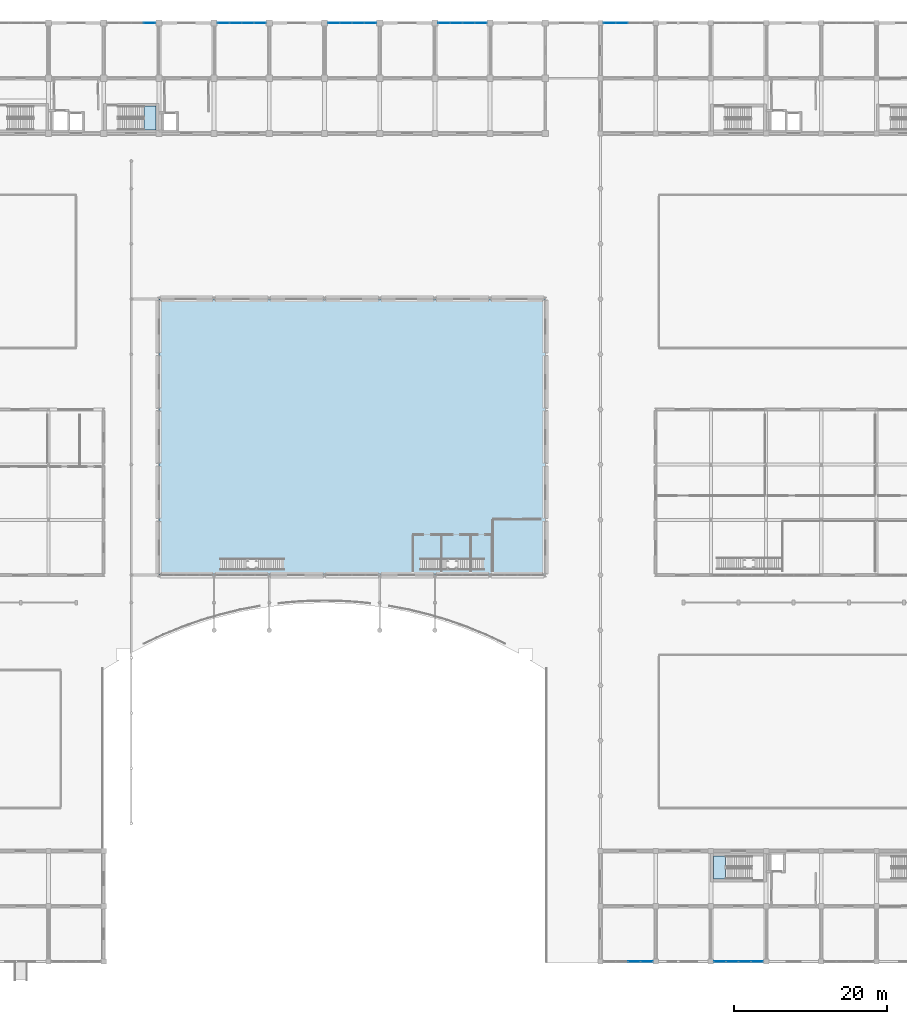
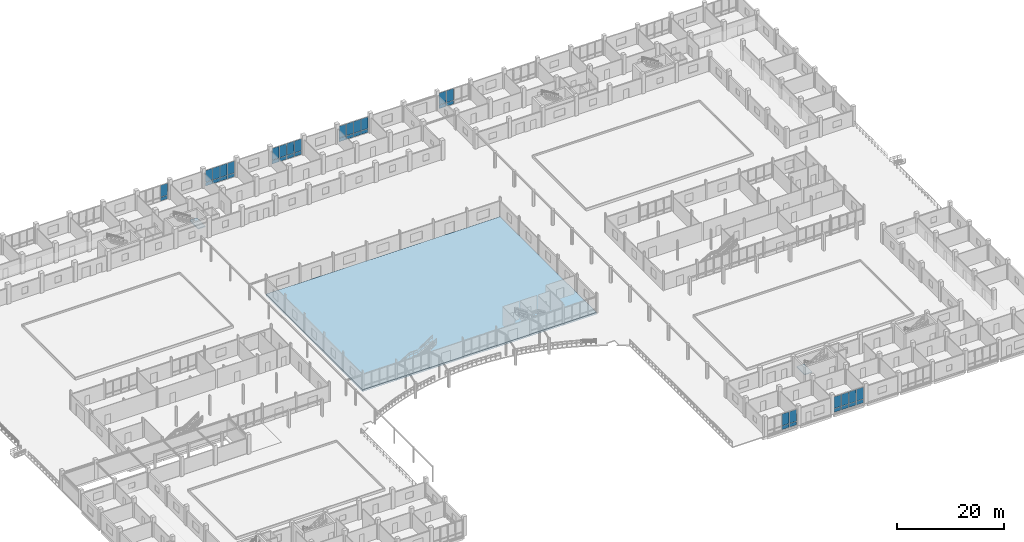
# One storey, part 106 of 139: 42 plates, 3 slabs, 9 elements without a shape of their own.
"""IFC4 building model written with IfcOpenShell, lengths in metres."""

from ifc_helpers import new_model, si_unit, direction, frame, origin, origin_2d, place, context, subcontext, project, spatial, polyline, rectangle, outline, extrude, material, layer, layer_set, type_object, element, aggregate, save


model = new_model("IFC4")

# Units and contexts
model_context = context("Model", 3, precision=1e-05, world=origin(), true_north=direction((0.0, 1.0)))
body_context = subcontext(model_context, "Body", "Model", "MODEL_VIEW")
ifc_project = project(units=[si_unit("LENGTHUNIT", "METRE"), si_unit("AREAUNIT", "SQUARE_METRE"), si_unit("VOLUMEUNIT", "CUBIC_METRE"), si_unit("PLANEANGLEUNIT", "RADIAN"), si_unit("MASSUNIT", "GRAM", prefix="KILO")], contexts=[model_context])

# Site, building, storey
site_placement = place(None, origin())
site = spatial("IfcSite", under=ifc_project, at=site_placement, CompositionType="ELEMENT")
building_placement = place(site_placement, origin())
building = spatial("IfcBuilding", under=site, at=building_placement, Name="Suanplinth Sawtooth Commons", CompositionType="ELEMENT")
storey_placement = place(building_placement, origin())
storey = spatial("IfcBuildingStorey", under=building, at=storey_placement, Name="L00", CompositionType="ELEMENT", Elevation=0.0)

# Curtain wall, plates
ifc_material_1 = material(Name="Anodized aluminium and low-E glazing", Category="aluminium")
curtain_wall_type = type_object("IfcCurtainWallType", Name="CW-04", PredefinedType="USERDEFINED", material=ifc_material_1)
curtain_wall_1_placement = place(storey_placement, origin())
curtain_wall_1 = element("IfcCurtainWall", 1, at=curtain_wall_1_placement, inside=storey, type_object=curtain_wall_type, Name="Curtain Wall CW-L00-A-N-8", ObjectType="CURTAIN WALL", PredefinedType="USERDEFINED")
ifc_material_2 = material(Name="Tempered low-E double glazing", Category="glass")
ifc_layer_1 = layer(ifc_material_2, 0.028076171875, Name="Vision low-E insulated glazing unit 28mm")
ifc_layer_set_1 = layer_set([ifc_layer_1], Name="Tempered low-E double glazing")
plate_type = type_object("IfcPlateType", Name="PL-05", PredefinedType="CURTAIN_PANEL", material=ifc_layer_set_1)
plate_1_placement = place(storey_placement, frame((63.583740234375, 122.39990234375, 0.06494140625), z_axis=(0.0, 0.0, 1.0), x_axis=(1.0, 0.0, 0.0)))
plate_1 = element("IfcPlate", 2, at=plate_1_placement, type_object=plate_type, Name="CW-04 panel 4.1", PredefinedType="CURTAIN_PANEL", context=body_context, shape_type="SweptSolid", body=[
    extrude(rectangle(XDim=1.50244140625, YDim=0.028076171875, at=origin_2d()), origin(), (0.0, 0.0, 1.0), 0.802490234375),
])
plate_2_placement = place(storey_placement, frame((63.583740234375, 122.39990234375, 0.932373046875), z_axis=(0.0, 0.0, 1.0), x_axis=(1.0, 0.0, 0.0)))
plate_2 = element("IfcPlate", 3, at=plate_2_placement, type_object=plate_type, Name="CW-04 panel 4.2", PredefinedType="CURTAIN_PANEL", context=body_context, shape_type="SweptSolid", body=[
    extrude(rectangle(XDim=1.50244140625, YDim=0.028076171875, at=origin_2d()), origin(), (0.0, 0.0, 1.0), 2.6826171875),
])
aggregate(curtain_wall_1, [plate_1, plate_2])

curtain_wall_2_placement = place(storey_placement, origin())
curtain_wall_2 = element("IfcCurtainWall", 4, at=curtain_wall_2_placement, inside=storey, type_object=curtain_wall_type, Name="Curtain Wall CW-L00-A-N-10", ObjectType="CURTAIN WALL", PredefinedType="USERDEFINED")
plate_3_placement = place(storey_placement, frame((73.21630859375, 122.39990234375, 0.06494140625), z_axis=(0.0, 0.0, 1.0), x_axis=(1.0, 0.0, 0.0)))
plate_3 = element("IfcPlate", 5, at=plate_3_placement, type_object=plate_type, Name="CW-04 panel 1.1", PredefinedType="CURTAIN_PANEL", context=body_context, shape_type="SweptSolid", body=[
    extrude(rectangle(XDim=1.50244140625, YDim=0.028076171875, at=origin_2d()), origin(), (0.0, 0.0, 1.0), 0.802490234375),
])
plate_4_placement = place(storey_placement, frame((73.21630859375, 122.39990234375, 0.932373046875), z_axis=(0.0, 0.0, 1.0), x_axis=(1.0, 0.0, 0.0)))
plate_4 = element("IfcPlate", 6, at=plate_4_placement, type_object=plate_type, Name="CW-04 panel 1.2", PredefinedType="CURTAIN_PANEL", context=body_context, shape_type="SweptSolid", body=[
    extrude(rectangle(XDim=1.50244140625, YDim=0.028076171875, at=origin_2d()), origin(), (0.0, 0.0, 1.0), 2.6826171875),
])
plate_5_placement = place(storey_placement, frame((74.800048828125, 122.39990234375, 0.06494140625), z_axis=(0.0, 0.0, 1.0), x_axis=(1.0, 0.0, 0.0)))
plate_5 = element("IfcPlate", 7, at=plate_5_placement, type_object=plate_type, Name="CW-04 panel 2.1", PredefinedType="CURTAIN_PANEL", context=body_context, shape_type="SweptSolid", body=[
    extrude(rectangle(XDim=1.534912109375, YDim=0.028076171875, at=origin_2d()), origin(), (0.0, 0.0, 1.0), 0.802490234375),
])
plate_6_placement = place(storey_placement, frame((74.800048828125, 122.39990234375, 0.932373046875), z_axis=(0.0, 0.0, 1.0), x_axis=(1.0, 0.0, 0.0)))
plate_6 = element("IfcPlate", 8, at=plate_6_placement, type_object=plate_type, Name="CW-04 panel 2.2", PredefinedType="CURTAIN_PANEL", context=body_context, shape_type="SweptSolid", body=[
    extrude(rectangle(XDim=1.534912109375, YDim=0.028076171875, at=origin_2d()), origin(), (0.0, 0.0, 1.0), 2.6826171875),
])
plate_7_placement = place(storey_placement, frame((76.39990234375, 122.39990234375, 0.06494140625), z_axis=(0.0, 0.0, 1.0), x_axis=(1.0, 0.0, 0.0)))
plate_7 = element("IfcPlate", 9, at=plate_7_placement, type_object=plate_type, Name="CW-04 panel 3.1", PredefinedType="CURTAIN_PANEL", context=body_context, shape_type="SweptSolid", body=[
    extrude(rectangle(XDim=1.534912109375, YDim=0.028076171875, at=origin_2d()), origin(), (0.0, 0.0, 1.0), 0.802490234375),
])
plate_8_placement = place(storey_placement, frame((76.39990234375, 122.39990234375, 0.932373046875), z_axis=(0.0, 0.0, 1.0), x_axis=(1.0, 0.0, 0.0)))
plate_8 = element("IfcPlate", 10, at=plate_8_placement, type_object=plate_type, Name="CW-04 panel 3.2", PredefinedType="CURTAIN_PANEL", context=body_context, shape_type="SweptSolid", body=[
    extrude(rectangle(XDim=1.534912109375, YDim=0.028076171875, at=origin_2d()), origin(), (0.0, 0.0, 1.0), 2.6826171875),
])
plate_9_placement = place(storey_placement, frame((77.983642578125, 122.39990234375, 0.06494140625), z_axis=(0.0, 0.0, 1.0), x_axis=(1.0, 0.0, 0.0)))
plate_9 = element("IfcPlate", 11, at=plate_9_placement, type_object=plate_type, Name="CW-04 panel 4.1", PredefinedType="CURTAIN_PANEL", context=body_context, shape_type="SweptSolid", body=[
    extrude(rectangle(XDim=1.50244140625, YDim=0.028076171875, at=origin_2d()), origin(), (0.0, 0.0, 1.0), 0.802490234375),
])
plate_10_placement = place(storey_placement, frame((77.983642578125, 122.39990234375, 0.932373046875), z_axis=(0.0, 0.0, 1.0), x_axis=(1.0, 0.0, 0.0)))
plate_10 = element("IfcPlate", 12, at=plate_10_placement, type_object=plate_type, Name="CW-04 panel 4.2", PredefinedType="CURTAIN_PANEL", context=body_context, shape_type="SweptSolid", body=[
    extrude(rectangle(XDim=1.50244140625, YDim=0.028076171875, at=origin_2d()), origin(), (0.0, 0.0, 1.0), 2.6826171875),
])
aggregate(curtain_wall_2, [plate_3, plate_4, plate_5, plate_6, plate_7, plate_8, plate_9, plate_10])

curtain_wall_3_placement = place(storey_placement, origin())
curtain_wall_3 = element("IfcCurtainWall", 13, at=curtain_wall_3_placement, inside=storey, type_object=curtain_wall_type, Name="Curtain Wall CW-L00-A-N-12", ObjectType="CURTAIN WALL", PredefinedType="USERDEFINED")
plate_11_placement = place(storey_placement, frame((87.6162109375, 122.39990234375, 0.06494140625), z_axis=(0.0, 0.0, 1.0), x_axis=(1.0, 0.0, 0.0)))
plate_11 = element("IfcPlate", 14, at=plate_11_placement, type_object=plate_type, Name="CW-04 panel 1.1", PredefinedType="CURTAIN_PANEL", context=body_context, shape_type="SweptSolid", body=[
    extrude(rectangle(XDim=1.50244140625, YDim=0.028076171875, at=origin_2d()), origin(), (0.0, 0.0, 1.0), 0.802490234375),
])
plate_12_placement = place(storey_placement, frame((87.6162109375, 122.39990234375, 0.932373046875), z_axis=(0.0, 0.0, 1.0), x_axis=(1.0, 0.0, 0.0)))
plate_12 = element("IfcPlate", 15, at=plate_12_placement, type_object=plate_type, Name="CW-04 panel 1.2", PredefinedType="CURTAIN_PANEL", context=body_context, shape_type="SweptSolid", body=[
    extrude(rectangle(XDim=1.50244140625, YDim=0.028076171875, at=origin_2d()), origin(), (0.0, 0.0, 1.0), 2.6826171875),
])
plate_13_placement = place(storey_placement, frame((89.199951171875, 122.39990234375, 0.06494140625), z_axis=(0.0, 0.0, 1.0), x_axis=(1.0, 0.0, 0.0)))
plate_13 = element("IfcPlate", 16, at=plate_13_placement, type_object=plate_type, Name="CW-04 panel 2.1", PredefinedType="CURTAIN_PANEL", context=body_context, shape_type="SweptSolid", body=[
    extrude(rectangle(XDim=1.534912109375, YDim=0.028076171875, at=origin_2d()), origin(), (0.0, 0.0, 1.0), 0.802490234375),
])
plate_14_placement = place(storey_placement, frame((89.199951171875, 122.39990234375, 0.932373046875), z_axis=(0.0, 0.0, 1.0), x_axis=(1.0, 0.0, 0.0)))
plate_14 = element("IfcPlate", 17, at=plate_14_placement, type_object=plate_type, Name="CW-04 panel 2.2", PredefinedType="CURTAIN_PANEL", context=body_context, shape_type="SweptSolid", body=[
    extrude(rectangle(XDim=1.534912109375, YDim=0.028076171875, at=origin_2d()), origin(), (0.0, 0.0, 1.0), 2.6826171875),
])
plate_15_placement = place(storey_placement, frame((90.800048828125, 122.39990234375, 0.06494140625), z_axis=(0.0, 0.0, 1.0), x_axis=(1.0, 0.0, 0.0)))
plate_15 = element("IfcPlate", 18, at=plate_15_placement, type_object=plate_type, Name="CW-04 panel 3.1", PredefinedType="CURTAIN_PANEL", context=body_context, shape_type="SweptSolid", body=[
    extrude(rectangle(XDim=1.534912109375, YDim=0.028076171875, at=origin_2d()), origin(), (0.0, 0.0, 1.0), 0.802490234375),
])
plate_16_placement = place(storey_placement, frame((90.800048828125, 122.39990234375, 0.932373046875), z_axis=(0.0, 0.0, 1.0), x_axis=(1.0, 0.0, 0.0)))
plate_16 = element("IfcPlate", 19, at=plate_16_placement, type_object=plate_type, Name="CW-04 panel 3.2", PredefinedType="CURTAIN_PANEL", context=body_context, shape_type="SweptSolid", body=[
    extrude(rectangle(XDim=1.534912109375, YDim=0.028076171875, at=origin_2d()), origin(), (0.0, 0.0, 1.0), 2.6826171875),
])
plate_17_placement = place(storey_placement, frame((92.3837890625, 122.39990234375, 0.06494140625), z_axis=(0.0, 0.0, 1.0), x_axis=(1.0, 0.0, 0.0)))
plate_17 = element("IfcPlate", 20, at=plate_17_placement, type_object=plate_type, Name="CW-04 panel 4.1", PredefinedType="CURTAIN_PANEL", context=body_context, shape_type="SweptSolid", body=[
    extrude(rectangle(XDim=1.50244140625, YDim=0.028076171875, at=origin_2d()), origin(), (0.0, 0.0, 1.0), 0.802490234375),
])
plate_18_placement = place(storey_placement, frame((92.3837890625, 122.39990234375, 0.932373046875), z_axis=(0.0, 0.0, 1.0), x_axis=(1.0, 0.0, 0.0)))
plate_18 = element("IfcPlate", 21, at=plate_18_placement, type_object=plate_type, Name="CW-04 panel 4.2", PredefinedType="CURTAIN_PANEL", context=body_context, shape_type="SweptSolid", body=[
    extrude(rectangle(XDim=1.50244140625, YDim=0.028076171875, at=origin_2d()), origin(), (0.0, 0.0, 1.0), 2.6826171875),
])
aggregate(curtain_wall_3, [plate_11, plate_12, plate_13, plate_14, plate_15, plate_16, plate_17, plate_18])

curtain_wall_4_placement = place(storey_placement, origin())
curtain_wall_4 = element("IfcCurtainWall", 22, at=curtain_wall_4_placement, inside=storey, type_object=curtain_wall_type, Name="Curtain Wall CW-L00-A-N-14", ObjectType="CURTAIN WALL", PredefinedType="USERDEFINED")
plate_19_placement = place(storey_placement, frame((102.016357421875, 122.39990234375, 0.06494140625), z_axis=(0.0, 0.0, 1.0), x_axis=(1.0, 0.0, 0.0)))
plate_19 = element("IfcPlate", 23, at=plate_19_placement, type_object=plate_type, Name="CW-04 panel 1.1", PredefinedType="CURTAIN_PANEL", context=body_context, shape_type="SweptSolid", body=[
    extrude(rectangle(XDim=1.50244140625, YDim=0.028076171875, at=origin_2d()), origin(), (0.0, 0.0, 1.0), 0.802490234375),
])
plate_20_placement = place(storey_placement, frame((102.016357421875, 122.39990234375, 0.932373046875), z_axis=(0.0, 0.0, 1.0), x_axis=(1.0, 0.0, 0.0)))
plate_20 = element("IfcPlate", 24, at=plate_20_placement, type_object=plate_type, Name="CW-04 panel 1.2", PredefinedType="CURTAIN_PANEL", context=body_context, shape_type="SweptSolid", body=[
    extrude(rectangle(XDim=1.50244140625, YDim=0.028076171875, at=origin_2d()), origin(), (0.0, 0.0, 1.0), 2.6826171875),
])
plate_21_placement = place(storey_placement, frame((103.60009765625, 122.39990234375, 0.06494140625), z_axis=(0.0, 0.0, 1.0), x_axis=(1.0, 0.0, 0.0)))
plate_21 = element("IfcPlate", 25, at=plate_21_placement, type_object=plate_type, Name="CW-04 panel 2.1", PredefinedType="CURTAIN_PANEL", context=body_context, shape_type="SweptSolid", body=[
    extrude(rectangle(XDim=1.534912109375, YDim=0.028076171875, at=origin_2d()), origin(), (0.0, 0.0, 1.0), 0.802490234375),
])
plate_22_placement = place(storey_placement, frame((103.60009765625, 122.39990234375, 0.932373046875), z_axis=(0.0, 0.0, 1.0), x_axis=(1.0, 0.0, 0.0)))
plate_22 = element("IfcPlate", 26, at=plate_22_placement, type_object=plate_type, Name="CW-04 panel 2.2", PredefinedType="CURTAIN_PANEL", context=body_context, shape_type="SweptSolid", body=[
    extrude(rectangle(XDim=1.534912109375, YDim=0.028076171875, at=origin_2d()), origin(), (0.0, 0.0, 1.0), 2.6826171875),
])
plate_23_placement = place(storey_placement, frame((105.199951171875, 122.39990234375, 0.06494140625), z_axis=(0.0, 0.0, 1.0), x_axis=(1.0, 0.0, 0.0)))
plate_23 = element("IfcPlate", 27, at=plate_23_placement, type_object=plate_type, Name="CW-04 panel 3.1", PredefinedType="CURTAIN_PANEL", context=body_context, shape_type="SweptSolid", body=[
    extrude(rectangle(XDim=1.534912109375, YDim=0.028076171875, at=origin_2d()), origin(), (0.0, 0.0, 1.0), 0.802490234375),
])
plate_24_placement = place(storey_placement, frame((105.199951171875, 122.39990234375, 0.932373046875), z_axis=(0.0, 0.0, 1.0), x_axis=(1.0, 0.0, 0.0)))
plate_24 = element("IfcPlate", 28, at=plate_24_placement, type_object=plate_type, Name="CW-04 panel 3.2", PredefinedType="CURTAIN_PANEL", context=body_context, shape_type="SweptSolid", body=[
    extrude(rectangle(XDim=1.534912109375, YDim=0.028076171875, at=origin_2d()), origin(), (0.0, 0.0, 1.0), 2.6826171875),
])
plate_25_placement = place(storey_placement, frame((106.78369140625, 122.39990234375, 0.06494140625), z_axis=(0.0, 0.0, 1.0), x_axis=(1.0, 0.0, 0.0)))
plate_25 = element("IfcPlate", 29, at=plate_25_placement, type_object=plate_type, Name="CW-04 panel 4.1", PredefinedType="CURTAIN_PANEL", context=body_context, shape_type="SweptSolid", body=[
    extrude(rectangle(XDim=1.50244140625, YDim=0.028076171875, at=origin_2d()), origin(), (0.0, 0.0, 1.0), 0.802490234375),
])
plate_26_placement = place(storey_placement, frame((106.78369140625, 122.39990234375, 0.932373046875), z_axis=(0.0, 0.0, 1.0), x_axis=(1.0, 0.0, 0.0)))
plate_26 = element("IfcPlate", 30, at=plate_26_placement, type_object=plate_type, Name="CW-04 panel 4.2", PredefinedType="CURTAIN_PANEL", context=body_context, shape_type="SweptSolid", body=[
    extrude(rectangle(XDim=1.50244140625, YDim=0.028076171875, at=origin_2d()), origin(), (0.0, 0.0, 1.0), 2.6826171875),
])
aggregate(curtain_wall_4, [plate_19, plate_20, plate_21, plate_22, plate_23, plate_24, plate_25, plate_26])

curtain_wall_5_placement = place(storey_placement, origin())
curtain_wall_5 = element("IfcCurtainWall", 31, at=curtain_wall_5_placement, inside=storey, type_object=curtain_wall_type, Name="Curtain Wall CW-L00-B-N-17", ObjectType="CURTAIN WALL", PredefinedType="USERDEFINED")
plate_27_placement = place(storey_placement, frame((123.578857421875, 122.39990234375, 0.06494140625), z_axis=(0.0, 0.0, 1.0), x_axis=(1.0, 0.0, 0.0)))
plate_27 = element("IfcPlate", 32, at=plate_27_placement, type_object=plate_type, Name="CW-04 panel 1.1", PredefinedType="CURTAIN_PANEL", context=body_context, shape_type="SweptSolid", body=[
    extrude(rectangle(XDim=1.527587890625, YDim=0.028076171875, at=origin_2d()), origin(), (0.0, 0.0, 1.0), 0.802490234375),
])
plate_28_placement = place(storey_placement, frame((123.578857421875, 122.39990234375, 0.932373046875), z_axis=(0.0, 0.0, 1.0), x_axis=(1.0, 0.0, 0.0)))
plate_28 = element("IfcPlate", 33, at=plate_28_placement, type_object=plate_type, Name="CW-04 panel 1.2", PredefinedType="CURTAIN_PANEL", context=body_context, shape_type="SweptSolid", body=[
    extrude(rectangle(XDim=1.527587890625, YDim=0.028076171875, at=origin_2d()), origin(), (0.0, 0.0, 1.0), 2.6826171875),
])
plate_29_placement = place(storey_placement, frame((125.1875, 122.39990234375, 0.06494140625), z_axis=(0.0, 0.0, 1.0), x_axis=(1.0, 0.0, 0.0)))
plate_29 = element("IfcPlate", 34, at=plate_29_placement, type_object=plate_type, Name="CW-04 panel 2.1", PredefinedType="CURTAIN_PANEL", context=body_context, shape_type="SweptSolid", body=[
    extrude(rectangle(XDim=1.56005859375, YDim=0.028076171875, at=origin_2d()), origin(), (0.0, 0.0, 1.0), 0.802490234375),
])
plate_30_placement = place(storey_placement, frame((125.1875, 122.39990234375, 0.932373046875), z_axis=(0.0, 0.0, 1.0), x_axis=(1.0, 0.0, 0.0)))
plate_30 = element("IfcPlate", 35, at=plate_30_placement, type_object=plate_type, Name="CW-04 panel 2.2", PredefinedType="CURTAIN_PANEL", context=body_context, shape_type="SweptSolid", body=[
    extrude(rectangle(XDim=1.56005859375, YDim=0.028076171875, at=origin_2d()), origin(), (0.0, 0.0, 1.0), 2.6826171875),
])
aggregate(curtain_wall_5, [plate_27, plate_28, plate_29, plate_30])

curtain_wall_6_placement = place(storey_placement, origin())
curtain_wall_6 = element("IfcCurtainWall", 36, at=curtain_wall_6_placement, inside=storey, type_object=curtain_wall_type, Name="Curtain Wall CW-L00-C-S-17", ObjectType="CURTAIN WALL", PredefinedType="USERDEFINED")
plate_31_placement = place(storey_placement, frame((126.8125, 0.0, 0.06494140625), z_axis=(0.0, 0.0, 1.0), x_axis=(1.0, 0.0, 0.0)))
plate_31 = element("IfcPlate", 37, at=plate_31_placement, type_object=plate_type, Name="CW-04 panel 3.1", PredefinedType="CURTAIN_PANEL", context=body_context, shape_type="SweptSolid", body=[
    extrude(rectangle(XDim=1.56005859375, YDim=0.028076171875, at=origin_2d()), origin(), (0.0, 0.0, 1.0), 0.802490234375),
])
plate_32_placement = place(storey_placement, frame((126.8125, 0.0, 0.932373046875), z_axis=(0.0, 0.0, 1.0), x_axis=(1.0, 0.0, 0.0)))
plate_32 = element("IfcPlate", 38, at=plate_32_placement, type_object=plate_type, Name="CW-04 panel 3.2", PredefinedType="CURTAIN_PANEL", context=body_context, shape_type="SweptSolid", body=[
    extrude(rectangle(XDim=1.56005859375, YDim=0.028076171875, at=origin_2d()), origin(), (0.0, 0.0, 1.0), 2.6826171875),
])
plate_33_placement = place(storey_placement, frame((128.421142578125, 0.0, 0.06494140625), z_axis=(0.0, 0.0, 1.0), x_axis=(1.0, 0.0, 0.0)))
plate_33 = element("IfcPlate", 39, at=plate_33_placement, type_object=plate_type, Name="CW-04 panel 4.1", PredefinedType="CURTAIN_PANEL", context=body_context, shape_type="SweptSolid", body=[
    extrude(rectangle(XDim=1.527587890625, YDim=0.028076171875, at=origin_2d()), origin(), (0.0, 0.0, 1.0), 0.802490234375),
])
plate_34_placement = place(storey_placement, frame((128.421142578125, 0.0, 0.932373046875), z_axis=(0.0, 0.0, 1.0), x_axis=(1.0, 0.0, 0.0)))
plate_34 = element("IfcPlate", 40, at=plate_34_placement, type_object=plate_type, Name="CW-04 panel 4.2", PredefinedType="CURTAIN_PANEL", context=body_context, shape_type="SweptSolid", body=[
    extrude(rectangle(XDim=1.527587890625, YDim=0.028076171875, at=origin_2d()), origin(), (0.0, 0.0, 1.0), 2.6826171875),
])
aggregate(curtain_wall_6, [plate_31, plate_32, plate_33, plate_34])

curtain_wall_7_placement = place(storey_placement, origin())
curtain_wall_7 = element("IfcCurtainWall", 41, at=curtain_wall_7_placement, inside=storey, type_object=curtain_wall_type, Name="Curtain Wall CW-L00-C-S-19", ObjectType="CURTAIN WALL", PredefinedType="USERDEFINED")
plate_35_placement = place(storey_placement, frame((137.978759765625, 0.0, 0.06494140625), z_axis=(0.0, 0.0, 1.0), x_axis=(1.0, 0.0, 0.0)))
plate_35 = element("IfcPlate", 42, at=plate_35_placement, type_object=plate_type, Name="CW-04 panel 1.1", PredefinedType="CURTAIN_PANEL", context=body_context, shape_type="SweptSolid", body=[
    extrude(rectangle(XDim=1.527587890625, YDim=0.028076171875, at=origin_2d()), origin(), (0.0, 0.0, 1.0), 0.802490234375),
])
plate_36_placement = place(storey_placement, frame((137.978759765625, 0.0, 0.932373046875), z_axis=(0.0, 0.0, 1.0), x_axis=(1.0, 0.0, 0.0)))
plate_36 = element("IfcPlate", 43, at=plate_36_placement, type_object=plate_type, Name="CW-04 panel 1.2", PredefinedType="CURTAIN_PANEL", context=body_context, shape_type="SweptSolid", body=[
    extrude(rectangle(XDim=1.527587890625, YDim=0.028076171875, at=origin_2d()), origin(), (0.0, 0.0, 1.0), 2.6826171875),
])
plate_37_placement = place(storey_placement, frame((139.58740234375, 0.0, 0.06494140625), z_axis=(0.0, 0.0, 1.0), x_axis=(1.0, 0.0, 0.0)))
plate_37 = element("IfcPlate", 44, at=plate_37_placement, type_object=plate_type, Name="CW-04 panel 2.1", PredefinedType="CURTAIN_PANEL", context=body_context, shape_type="SweptSolid", body=[
    extrude(rectangle(XDim=1.56005859375, YDim=0.028076171875, at=origin_2d()), origin(), (0.0, 0.0, 1.0), 0.802490234375),
])
plate_38_placement = place(storey_placement, frame((139.58740234375, 0.0, 0.932373046875), z_axis=(0.0, 0.0, 1.0), x_axis=(1.0, 0.0, 0.0)))
plate_38 = element("IfcPlate", 45, at=plate_38_placement, type_object=plate_type, Name="CW-04 panel 2.2", PredefinedType="CURTAIN_PANEL", context=body_context, shape_type="SweptSolid", body=[
    extrude(rectangle(XDim=1.56005859375, YDim=0.028076171875, at=origin_2d()), origin(), (0.0, 0.0, 1.0), 2.6826171875),
])
plate_39_placement = place(storey_placement, frame((141.21240234375, 0.0, 0.06494140625), z_axis=(0.0, 0.0, 1.0), x_axis=(1.0, 0.0, 0.0)))
plate_39 = element("IfcPlate", 46, at=plate_39_placement, type_object=plate_type, Name="CW-04 panel 3.1", PredefinedType="CURTAIN_PANEL", context=body_context, shape_type="SweptSolid", body=[
    extrude(rectangle(XDim=1.56005859375, YDim=0.028076171875, at=origin_2d()), origin(), (0.0, 0.0, 1.0), 0.802490234375),
])
plate_40_placement = place(storey_placement, frame((141.21240234375, 0.0, 0.932373046875), z_axis=(0.0, 0.0, 1.0), x_axis=(1.0, 0.0, 0.0)))
plate_40 = element("IfcPlate", 47, at=plate_40_placement, type_object=plate_type, Name="CW-04 panel 3.2", PredefinedType="CURTAIN_PANEL", context=body_context, shape_type="SweptSolid", body=[
    extrude(rectangle(XDim=1.56005859375, YDim=0.028076171875, at=origin_2d()), origin(), (0.0, 0.0, 1.0), 2.6826171875),
])
plate_41_placement = place(storey_placement, frame((142.8212890625, 0.0, 0.06494140625), z_axis=(0.0, 0.0, 1.0), x_axis=(1.0, 0.0, 0.0)))
plate_41 = element("IfcPlate", 48, at=plate_41_placement, type_object=plate_type, Name="CW-04 panel 4.1", PredefinedType="CURTAIN_PANEL", context=body_context, shape_type="SweptSolid", body=[
    extrude(rectangle(XDim=1.527587890625, YDim=0.028076171875, at=origin_2d()), origin(), (0.0, 0.0, 1.0), 0.802490234375),
])
plate_42_placement = place(storey_placement, frame((142.8212890625, 0.0, 0.932373046875), z_axis=(0.0, 0.0, 1.0), x_axis=(1.0, 0.0, 0.0)))
plate_42 = element("IfcPlate", 49, at=plate_42_placement, type_object=plate_type, Name="CW-04 panel 4.2", PredefinedType="CURTAIN_PANEL", context=body_context, shape_type="SweptSolid", body=[
    extrude(rectangle(XDim=1.527587890625, YDim=0.028076171875, at=origin_2d()), origin(), (0.0, 0.0, 1.0), 2.6826171875),
])
aggregate(curtain_wall_7, [plate_35, plate_36, plate_37, plate_38, plate_39, plate_40, plate_41, plate_42])

# Stair, slab
ifc_material_3 = material(Name="Concrete C40/50", Category="concrete")
stair_type_1 = type_object("IfcStairType", Name="ST-02", PredefinedType="USERDEFINED", material=ifc_material_3)
stair_1_placement = place(storey_placement, origin())
stair_1 = element("IfcStair", 50, at=stair_1_placement, inside=storey, type_object=stair_type_1, Name="L00 Exit Stair ST-N2", ObjectType="TWO_RETURN_STAIR", PredefinedType="USERDEFINED")
ifc_layer_2 = layer(ifc_material_3, 0.199951171875, Name="Reinforced concrete stair and ramp landing slab 200mm")
ifc_layer_set_2 = layer_set([ifc_layer_2], Name="Concrete C40/50")
slab_type_1 = type_object("IfcSlabType", Name="S-LD01", PredefinedType="LANDING", material=ifc_layer_set_2)
slab_1_placement = place(storey_placement, frame((0.0, 0.0, 2.050048828125)))
slab_1 = element("IfcSlab", 51, at=slab_1_placement, type_object=slab_type_1, Name="ST-02 landing 1", PredefinedType="LANDING", context=body_context, shape_type="SweptSolid", body=[
    extrude(outline(polyline([(62.8701171875, 108.449951171875), (64.449951171875, 108.449951171875), (64.449951171875, 111.550048828125), (62.8701171875, 111.550048828125), (62.8701171875, 108.449951171875)])), origin(), (0.0, 0.0, 1.0), 0.199951171875),
])
aggregate(stair_1, [slab_1])

stair_type_2 = type_object("IfcStairType", Name="ST-06", PredefinedType="USERDEFINED", material=ifc_material_3)
stair_2_placement = place(storey_placement, origin())
stair_2 = element("IfcStair", 52, at=stair_2_placement, inside=storey, type_object=stair_type_2, Name="L00 Exit Stair ST-S1", ObjectType="TWO_RETURN_STAIR", PredefinedType="USERDEFINED")
slab_2_placement = place(storey_placement, frame((0.0, 0.0, 2.050048828125)))
slab_2 = element("IfcSlab", 53, at=slab_2_placement, type_object=slab_type_1, Name="ST-06 landing 1", PredefinedType="LANDING", context=body_context, shape_type="SweptSolid", body=[
    extrude(outline(polyline([(138.72998046875, 13.75), (137.14990234375, 13.75), (137.14990234375, 10.75), (138.72998046875, 10.75), (138.72998046875, 13.75)])), origin(), (0.0, 0.0, 1.0), 0.199951171875),
])
aggregate(stair_2, [slab_2])

# Slab
ifc_layer_3 = layer(ifc_material_3, 0.409912109375, Name="Ground flood-plinth RC floor slab 410mm")
ifc_layer_set_3 = layer_set([ifc_layer_3], Name="Concrete C40/50")
slab_type_2 = type_object("IfcSlabType", Name="S-PL01", PredefinedType="FLOOR", material=ifc_layer_set_3)
slab_3_placement = place(storey_placement, frame((0.0, 0.0, -0.409912109375)))
element("IfcSlab", 54, at=slab_3_placement, inside=storey, type_object=slab_type_2, Name="L00 Central Community Assembly Hall Floor", PredefinedType="FLOOR", context=body_context, shape_type="SweptSolid", body=[
    extrude(outline(polyline([(64.800048828125, 50.39990234375), (115.199951171875, 50.39990234375), (115.199951171875, 86.39990234375), (64.800048828125, 86.39990234375), (64.800048828125, 50.39990234375)])), origin(), (0.0, 0.0, 1.0), 0.409912109375),
])

save(model, "model.ifc")
